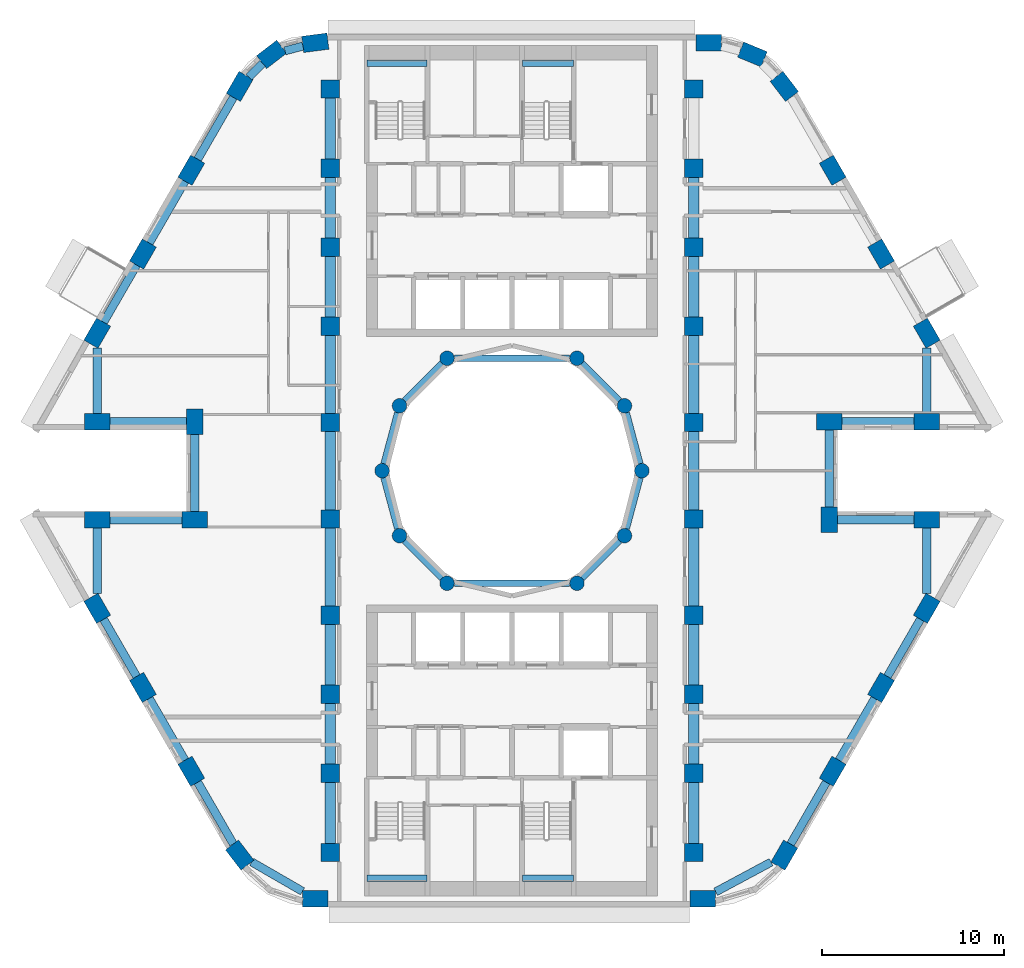
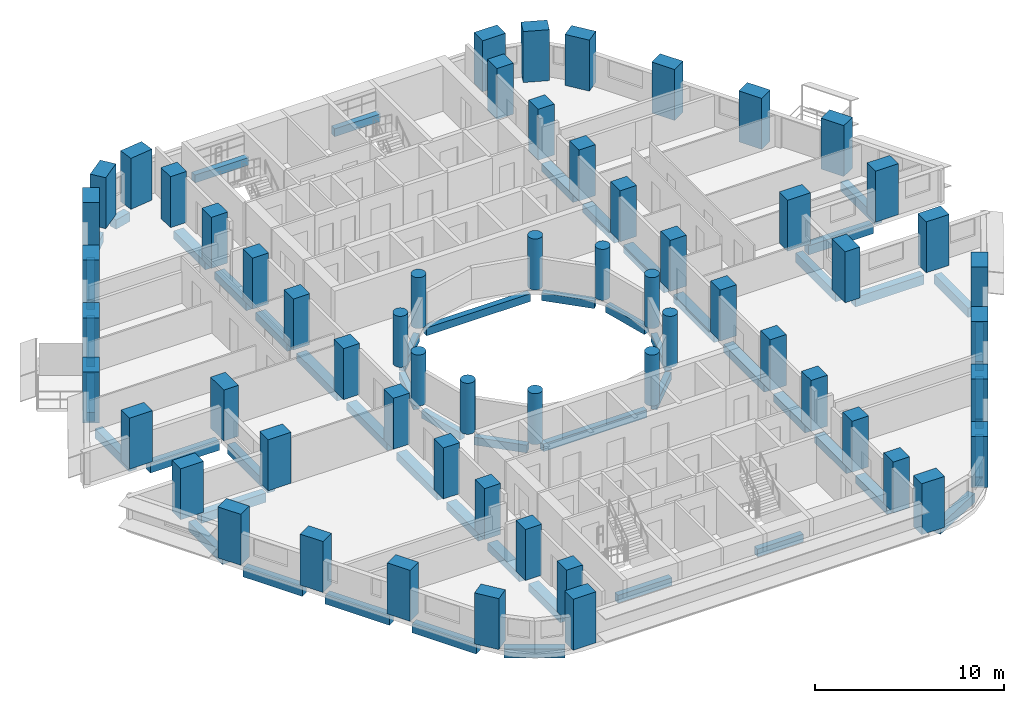
# One storey, part 1 of 14: 60 columns, 54 beams.
"""IFC4 building model written with IfcOpenShell, lengths in metres."""

from ifc_helpers import new_model, si_unit, direction, frame, origin, origin_2d, place, context, subcontext, project, spatial, rectangle, circle, extrude, material, material_profile, profile_set, type_object, element, save


model = new_model("IFC4")

# Units and contexts
model_context = context("Model", 3, precision=1e-05, world=origin(), true_north=direction((0.0, 1.0)))
body_context = subcontext(model_context, "Body", "Model", "MODEL_VIEW")
ifc_project = project(units=[si_unit("LENGTHUNIT", "METRE"), si_unit("AREAUNIT", "SQUARE_METRE"), si_unit("VOLUMEUNIT", "CUBIC_METRE"), si_unit("PLANEANGLEUNIT", "RADIAN"), si_unit("MASSUNIT", "GRAM", prefix="KILO")], contexts=[model_context])

# Site, building, storey
site_placement = place(None, origin())
site = spatial("IfcSite", under=ifc_project, at=site_placement, CompositionType="ELEMENT")
building_placement = place(site_placement, origin())
building = spatial("IfcBuilding", under=site, at=building_placement, Name="Nakaniwa Court", CompositionType="ELEMENT")
storey_placement = place(building_placement, frame((0.0, 0.0, 117.300048828125)))
storey = spatial("IfcBuildingStorey", under=building, at=storey_placement, Name="L31", CompositionType="ELEMENT", Elevation=117.300048828125)

# Columns
ifc_material = material(Name="Concrete C80/100", Category="concrete")
ifc_material_profile_1 = material_profile(ifc_material, rectangle(XDim=1.0, YDim=1.0, at=origin_2d()), Name="Concrete C80/100 RC 1000x1000 spine column")
ifc_profile_set_1 = profile_set([ifc_material_profile_1], Name="Concrete C80/100")
column_type_1 = type_object("IfcColumnType", Name="Concrete C80/100 RC 1000x1000 spine column", PredefinedType="COLUMN", material=ifc_profile_set_1)
for number, where, z_axis, x_axis, name in (
    (1, (90.0, 59.0, 0.0), (0.0, 0.0, 1.0), (0.0, 1.0, 0.0), "COLUMN CS-01"),
    (2, (90.0, 63.35009765625, 0.0), (0.0, 0.0, 1.0), (0.0, 1.0, 0.0), "COLUMN CS-02"),
    (3, (90.0, 67.699951171875, 0.0), (0.0, 0.0, 1.0), (0.0, 1.0, 0.0), "COLUMN CS-03"),
    (4, (90.0, 72.050048828125, 0.0), (0.0, 0.0, 1.0), (0.0, 1.0, 0.0), "COLUMN CS-04"),
    (5, (90.0, 77.35009765625, 0.0), (0.0, 0.0, 1.0), (0.0, 1.0, 0.0), "COLUMN CS-05"),
    (6, (90.0, 82.64990234375, 0.0), (0.0, 0.0, 1.0), (0.0, 1.0, 0.0), "COLUMN CS-06"),
    (7, (90.0, 87.949951171875, 0.0), (0.0, 0.0, 1.0), (0.0, 1.0, 0.0), "COLUMN CS-07"),
    (8, (90.0, 92.300048828125, 0.0), (0.0, 0.0, 1.0), (0.0, 1.0, 0.0), "COLUMN CS-08"),
    (9, (90.0, 96.64990234375, 0.0), (0.0, 0.0, 1.0), (0.0, 1.0, 0.0), "COLUMN CS-09"),
    (10, (90.0, 101.0, 0.0), (0.0, 0.0, 1.0), (0.0, 1.0, 0.0), "COLUMN CS-10"),
    (11, (70.0, 101.0, 0.0), (0.0, 0.0, 1.0), (0.0, -1.0, 0.0), "COLUMN CS-11"),
    (12, (70.0, 96.64990234375, 0.0), (0.0, 0.0, 1.0), (0.0, -1.0, 0.0), "COLUMN CS-12"),
    (13, (70.0, 92.300048828125, 0.0), (0.0, 0.0, 1.0), (0.0, -1.0, 0.0), "COLUMN CS-13"),
    (14, (70.0, 87.949951171875, 0.0), (0.0, 0.0, 1.0), (0.0, -1.0, 0.0), "COLUMN CS-14"),
    (15, (70.0, 82.64990234375, 0.0), (0.0, 0.0, 1.0), (0.0, -1.0, 0.0), "COLUMN CS-15"),
    (16, (70.0, 77.35009765625, 0.0), (0.0, 0.0, 1.0), (0.0, -1.0, 0.0), "COLUMN CS-16"),
    (17, (70.0, 72.050048828125, 0.0), (0.0, 0.0, 1.0), (0.0, -1.0, 0.0), "COLUMN CS-17"),
    (18, (70.0, 67.699951171875, 0.0), (0.0, 0.0, 1.0), (0.0, -1.0, 0.0), "COLUMN CS-18"),
    (19, (70.0, 63.35009765625, 0.0), (0.0, 0.0, 1.0), (0.0, -1.0, 0.0), "COLUMN CS-19"),
    (20, (70.0, 59.0, 0.0), (0.0, 0.0, 1.0), (0.0, -1.0, 0.0), "COLUMN CS-20"),
):
    element("IfcColumn", number, at=place(storey_placement, frame(where, z_axis=z_axis, x_axis=x_axis)), inside=storey, type_object=column_type_1, Name=name, PredefinedType="COLUMN", context=body_context, shape_type="SweptSolid", body=[
        extrude(rectangle(XDim=1.0, YDim=1.0, at=origin_2d()), origin(), (0.0, 0.0, 1.0), 3.300048828125),
    ])
ifc_material_profile_2 = material_profile(ifc_material, rectangle(XDim=1.39990234375, YDim=0.89990234375, at=origin_2d()), Name="Concrete C80/100 RC 1400x900 perimeter column")
ifc_profile_set_2 = profile_set([ifc_material_profile_2], Name="Concrete C80/100")
column_type_2 = type_object("IfcColumnType", Name="Concrete C80/100 RC 1400x900 perimeter column", PredefinedType="COLUMN", material=ifc_profile_set_2)
for number, where, z_axis, x_axis, name in (
    (21, (69.17529296875, 103.550048828125, 0.0), (0.0, 0.0, 1.0), (-0.991442583111, -0.130543496177, 0.0), "COLUMN CO-01"),
    (22, (66.772705078125, 102.91015625, 0.0), (0.0, 0.0, 1.0), (-0.793363965062, -0.608747582288, 0.0), "COLUMN CO-02"),
    (23, (65.017578125, 101.1494140625, 0.0), (0.0, 0.0, 1.0), (-0.5, -0.866025403784, 0.0), "COLUMN CO-03"),
    (24, (62.3544921875, 96.537109375, 0.0), (0.0, 0.0, 1.0), (-0.5, -0.866025403784, 0.0), "COLUMN CO-04"),
    (25, (59.691650390625, 91.9248046875, 0.0), (0.0, 0.0, 1.0), (-0.5, -0.866025403784, 0.0), "COLUMN CO-05"),
    (26, (57.177001953125, 87.569580078125, 0.0), (0.0, 0.0, 1.0), (-0.5, -0.866025403784, 0.0), "COLUMN CO-06"),
    (27, (57.177001953125, 82.699951171875, 0.0), (0.0, 0.0, 1.0), (1.0, 0.0, 0.0), "COLUMN CO-08"),
    (28, (62.54150390625, 82.699951171875, 0.0), (0.0, 0.0, 1.0), (0.0, -1.0, 0.0), "COLUMN CO-09"),
    (29, (62.54150390625, 77.300048828125, 0.0), (0.0, 0.0, 1.0), (-1.0, 0.0, 0.0), "COLUMN CO-10"),
    (30, (57.177001953125, 77.300048828125, 0.0), (0.0, 0.0, 1.0), (-1.0, 0.0, 0.0), "COLUMN CO-11"),
    (31, (57.177001953125, 72.430419921875, 0.0), (0.0, 0.0, 1.0), (0.5, -0.866025403784, 0.0), "COLUMN CO-13"),
    (32, (59.691650390625, 68.0751953125, 0.0), (0.0, 0.0, 1.0), (0.5, -0.866025403784, 0.0), "COLUMN CO-14"),
    (33, (62.3544921875, 63.462890625, 0.0), (0.0, 0.0, 1.0), (0.5, -0.866025403784, 0.0), "COLUMN CO-15"),
    (34, (65.017578125, 58.8505859375, 0.0), (0.0, 0.0, 1.0), (0.608761429009, -0.793353340291, 0.0), "COLUMN CO-16"),
    (35, (69.17529296875, 56.449951171875, 0.0), (0.0, 0.0, 1.0), (1.0, 0.0, 0.0), "COLUMN CO-17"),
    (36, (90.507080078125, 56.449951171875, 0.0), (0.0, 0.0, 1.0), (1.0, 0.0, 0.0), "COLUMN CO-21"),
    (37, (94.982421875, 58.8505859375, 0.0), (0.0, 0.0, 1.0), (0.5, 0.866025403784, 0.0), "COLUMN CO-22"),
    (38, (97.6455078125, 63.462890625, 0.0), (0.0, 0.0, 1.0), (0.5, 0.866025403784, 0.0), "COLUMN CO-23"),
    (39, (100.308349609375, 68.0751953125, 0.0), (0.0, 0.0, 1.0), (0.5, 0.866025403784, 0.0), "COLUMN CO-24"),
    (40, (102.822998046875, 72.430419921875, 0.0), (0.0, 0.0, 1.0), (0.5, 0.866025403784, 0.0), "COLUMN CO-25"),
    (41, (102.822998046875, 77.300048828125, 0.0), (0.0, 0.0, 1.0), (-1.0, 0.0, 0.0), "COLUMN CO-27"),
    (42, (97.45849609375, 77.300048828125, 0.0), (0.0, 0.0, 1.0), (0.0, 1.0, 0.0), "COLUMN CO-28"),
    (43, (97.45849609375, 82.699951171875, 0.0), (0.0, 0.0, 1.0), (1.0, 0.0, 0.0), "COLUMN CO-29"),
    (44, (102.822998046875, 82.699951171875, 0.0), (0.0, 0.0, 1.0), (1.0, 0.0, 0.0), "COLUMN CO-30"),
    (45, (102.822998046875, 87.569580078125, 0.0), (0.0, 0.0, 1.0), (-0.5, 0.866025403784, 0.0), "COLUMN CO-32"),
    (46, (100.308349609375, 91.9248046875, 0.0), (0.0, 0.0, 1.0), (-0.5, 0.866025403784, 0.0), "COLUMN CO-33"),
    (47, (97.6455078125, 96.537109375, 0.0), (0.0, 0.0, 1.0), (-0.5, 0.866025403784, 0.0), "COLUMN CO-34"),
    (48, (94.982421875, 101.1494140625, 0.0), (0.0, 0.0, 1.0), (-0.608761429009, 0.793353340291, 0.0), "COLUMN CO-35"),
    (49, (93.227294921875, 102.91015625, 0.0), (0.0, 0.0, 1.0), (-0.923879532511, 0.382683432365, 0.0), "COLUMN CO-36"),
    (50, (90.82470703125, 103.550048828125, 0.0), (0.0, 0.0, 1.0), (-1.0, 0.0, 0.0), "COLUMN CO-37"),
):
    element("IfcColumn", number, at=place(storey_placement, frame(where, z_axis=z_axis, x_axis=x_axis)), inside=storey, type_object=column_type_2, Name=name, PredefinedType="COLUMN", context=body_context, shape_type="SweptSolid", body=[
        extrude(rectangle(XDim=1.39990234375, YDim=0.89990234375, at=origin_2d()), origin(), (0.0, 0.0, 1.0), 3.300048828125),
    ])
ifc_material_profile_3 = material_profile(ifc_material, circle(Radius=0.39990234375, at=origin_2d()), Name="Concrete C80/100 RC D800 inner ring column")
ifc_profile_set_3 = profile_set([ifc_material_profile_3], Name="Concrete C80/100")
column_type_3 = type_object("IfcColumnType", Name="Concrete C80/100 RC D800 inner ring column", PredefinedType="COLUMN", material=ifc_profile_set_3)
for number, where, z_axis, x_axis, name in (
    (51, (87.14990234375, 80.0, 0.0), (0.0, 0.0, 1.0), (0.0, 1.0, 0.0), "COLUMN CI-01"),
    (52, (86.192138671875, 83.574951171875, 0.0), (0.0, 0.0, 1.0), (-0.5, 0.866025403784, 0.0), "COLUMN CI-02"),
    (53, (83.574951171875, 86.192138671875, 0.0), (0.0, 0.0, 1.0), (-0.866025403784, 0.5, 0.0), "COLUMN CI-03"),
    (54, (76.425048828125, 86.192138671875, 0.0), (0.0, 0.0, 1.0), (-0.866025403784, -0.5, 0.0), "COLUMN CI-05"),
    (55, (73.807861328125, 83.574951171875, 0.0), (0.0, 0.0, 1.0), (-0.5, -0.866025403784, 0.0), "COLUMN CI-06"),
    (56, (72.85009765625, 80.0, 0.0), (0.0, 0.0, 1.0), (0.0, -1.0, 0.0), "COLUMN CI-07"),
    (57, (73.807861328125, 76.425048828125, 0.0), (0.0, 0.0, 1.0), (0.5, -0.866025403784, 0.0), "COLUMN CI-08"),
    (58, (76.425048828125, 73.807861328125, 0.0), (0.0, 0.0, 1.0), (0.866025403784, -0.5, 0.0), "COLUMN CI-09"),
    (59, (83.574951171875, 73.807861328125, 0.0), (0.0, 0.0, 1.0), (0.866025403784, 0.5, 0.0), "COLUMN CI-11"),
    (60, (86.192138671875, 76.425048828125, 0.0), (0.0, 0.0, 1.0), (0.5, 0.866025403784, 0.0), "COLUMN CI-12"),
):
    element("IfcColumn", number, at=place(storey_placement, frame(where, z_axis=z_axis, x_axis=x_axis)), inside=storey, type_object=column_type_3, Name=name, PredefinedType="COLUMN", context=body_context, shape_type="SweptSolid", body=[
        extrude(circle(Radius=0.39990234375, at=origin_2d()), origin(), (0.0, 0.0, 1.0), 3.300048828125),
    ])

# Beams
ifc_material_profile_4 = material_profile(ifc_material, rectangle(XDim=0.35009765625, YDim=0.5, at=origin_2d()), Name="Concrete C80/100 RC 350x500 landing ledge beam")
ifc_profile_set_4 = profile_set([ifc_material_profile_4], Name="Concrete C80/100")
beam_type_1 = type_object("IfcBeamType", Name="Concrete C80/100 RC 350x500 landing ledge beam", PredefinedType="BEAM", material=ifc_profile_set_4)
beam_1_placement = place(storey_placement, frame((72.02490234375, 102.425048828125, 1.199951171875), z_axis=(1.0, 0.0, 0.0), x_axis=(0.0, 1.0, 0.0)))
element("IfcBeam", 61, at=beam_1_placement, inside=storey, type_object=beam_type_1, Name="LANDING LEDGE BEAM", PredefinedType="BEAM", context=body_context, shape_type="SweptSolid", body=[
    extrude(rectangle(XDim=0.35009765625, YDim=0.5, at=origin_2d()), origin(), (0.0, 0.0, 1.0), 3.300048828125),
])
beam_2_placement = place(storey_placement, frame((80.574951171875, 102.425048828125, 1.199951171875), z_axis=(1.0, 0.0, 0.0), x_axis=(0.0, 1.0, 0.0)))
element("IfcBeam", 62, at=beam_2_placement, inside=storey, type_object=beam_type_1, Name="LANDING LEDGE BEAM", PredefinedType="BEAM", context=body_context, shape_type="SweptSolid", body=[
    extrude(rectangle(XDim=0.35009765625, YDim=0.5, at=origin_2d()), origin(), (0.0, 0.0, 1.0), 2.800048828125),
])
beam_3_placement = place(storey_placement, frame((72.02490234375, 57.574951171875, 1.199951171875), z_axis=(1.0, 0.0, 0.0), x_axis=(0.0, 1.0, 0.0)))
element("IfcBeam", 63, at=beam_3_placement, inside=storey, type_object=beam_type_1, Name="LANDING LEDGE BEAM", PredefinedType="BEAM", context=body_context, shape_type="SweptSolid", body=[
    extrude(rectangle(XDim=0.35009765625, YDim=0.5, at=origin_2d()), origin(), (0.0, 0.0, 1.0), 3.300048828125),
])
beam_4_placement = place(storey_placement, frame((80.574951171875, 57.574951171875, 1.199951171875), z_axis=(1.0, 0.0, 0.0), x_axis=(0.0, 1.0, 0.0)))
element("IfcBeam", 64, at=beam_4_placement, inside=storey, type_object=beam_type_1, Name="LANDING LEDGE BEAM", PredefinedType="BEAM", context=body_context, shape_type="SweptSolid", body=[
    extrude(rectangle(XDim=0.35009765625, YDim=0.5, at=origin_2d()), origin(), (0.0, 0.0, 1.0), 2.800048828125),
])
ifc_material_profile_5 = material_profile(ifc_material, rectangle(XDim=0.35009765625, YDim=0.5, at=origin_2d()), Name="Concrete C80/100 RC 350x500 ring beam")
ifc_profile_set_5 = profile_set([ifc_material_profile_5], Name="Concrete C80/100")
beam_type_2 = type_object("IfcBeamType", Name="Concrete C80/100 RC 350x500 ring beam", PredefinedType="BEAM", material=ifc_profile_set_5)
beam_5_placement = place(storey_placement, frame((87.04638671875, 80.386474609375, -0.525146484375), z_axis=(-0.258778150207, 0.965936783115, 0.0), x_axis=(-0.965936783115, -0.258778150207, 0.0)))
element("IfcBeam", 65, at=beam_5_placement, inside=storey, type_object=beam_type_2, Name="RING BEAM", PredefinedType="BEAM", context=body_context, shape_type="SweptSolid", body=[
    extrude(rectangle(XDim=0.35009765625, YDim=0.5, at=origin_2d()), origin(), (0.0, 0.0, 1.0), 2.901123046875),
])
beam_6_placement = place(storey_placement, frame((85.9091796875, 83.85791015625, -0.525146484375), z_axis=(-0.707106781187, 0.707106781187, 0.0), x_axis=(-0.707106781187, -0.707106781187, 0.0)))
element("IfcBeam", 66, at=beam_6_placement, inside=storey, type_object=beam_type_2, Name="RING BEAM", PredefinedType="BEAM", context=body_context, shape_type="SweptSolid", body=[
    extrude(rectangle(XDim=0.35009765625, YDim=0.5, at=origin_2d()), origin(), (0.0, 0.0, 1.0), 2.90087890625),
])
beam_7_placement = place(storey_placement, frame((83.175048828125, 86.192138671875, -0.525146484375), z_axis=(-1.0, 0.0, 0.0), x_axis=(0.0, -1.0, 0.0)))
element("IfcBeam", 67, at=beam_7_placement, inside=storey, type_object=beam_type_2, Name="RING BEAM", PredefinedType="BEAM", context=body_context, shape_type="SweptSolid", body=[
    extrude(rectangle(XDim=0.35009765625, YDim=0.5, at=origin_2d()), origin(), (0.0, 0.0, 1.0), 6.35009765625),
])
beam_8_placement = place(storey_placement, frame((76.14208984375, 85.9091796875, -0.525146484375), z_axis=(-0.707106781187, -0.707106781187, 0.0), x_axis=(0.707106781187, -0.707106781187, 0.0)))
element("IfcBeam", 68, at=beam_8_placement, inside=storey, type_object=beam_type_2, Name="RING BEAM", PredefinedType="BEAM", context=body_context, shape_type="SweptSolid", body=[
    extrude(rectangle(XDim=0.35009765625, YDim=0.5, at=origin_2d()), origin(), (0.0, 0.0, 1.0), 2.90087890625),
])
for number, where, z_axis, x_axis, name in (
    (69, (73.704345703125, 83.188720703125, -0.525146484375), (-0.258778150207, -0.965936783115, 0.0), (0.965936783115, -0.258778150207, 0.0), "RING BEAM"),
    (70, (72.95361328125, 79.613525390625, -0.525146484375), (0.258778150207, -0.965936783115, 0.0), (0.965936783115, 0.258778150207, 0.0), "RING BEAM"),
):
    element("IfcBeam", number, at=place(storey_placement, frame(where, z_axis=z_axis, x_axis=x_axis)), inside=storey, type_object=beam_type_2, Name=name, PredefinedType="BEAM", context=body_context, shape_type="SweptSolid", body=[
        extrude(rectangle(XDim=0.35009765625, YDim=0.5, at=origin_2d()), origin(), (0.0, 0.0, 1.0), 2.901123046875),
    ])
beam_9_placement = place(storey_placement, frame((74.0908203125, 76.14208984375, -0.525146484375), z_axis=(0.707106781187, -0.707106781187, 0.0), x_axis=(0.707106781187, 0.707106781187, 0.0)))
element("IfcBeam", 71, at=beam_9_placement, inside=storey, type_object=beam_type_2, Name="RING BEAM", PredefinedType="BEAM", context=body_context, shape_type="SweptSolid", body=[
    extrude(rectangle(XDim=0.35009765625, YDim=0.5, at=origin_2d()), origin(), (0.0, 0.0, 1.0), 2.90087890625),
])
beam_10_placement = place(storey_placement, frame((76.824951171875, 73.807861328125, -0.525146484375), z_axis=(1.0, 0.0, 0.0), x_axis=(0.0, 1.0, 0.0)))
element("IfcBeam", 72, at=beam_10_placement, inside=storey, type_object=beam_type_2, Name="RING BEAM", PredefinedType="BEAM", context=body_context, shape_type="SweptSolid", body=[
    extrude(rectangle(XDim=0.35009765625, YDim=0.5, at=origin_2d()), origin(), (0.0, 0.0, 1.0), 6.35009765625),
])
beam_11_placement = place(storey_placement, frame((83.85791015625, 74.0908203125, -0.525146484375), z_axis=(0.707106781187, 0.707106781187, 0.0), x_axis=(-0.707106781187, 0.707106781187, 0.0)))
element("IfcBeam", 73, at=beam_11_placement, inside=storey, type_object=beam_type_2, Name="RING BEAM", PredefinedType="BEAM", context=body_context, shape_type="SweptSolid", body=[
    extrude(rectangle(XDim=0.35009765625, YDim=0.5, at=origin_2d()), origin(), (0.0, 0.0, 1.0), 2.90087890625),
])
beam_12_placement = place(storey_placement, frame((86.295654296875, 76.811279296875, -0.525146484375), z_axis=(0.258778150207, 0.965936783115, 0.0), x_axis=(-0.965936783115, 0.258778150207, 0.0)))
element("IfcBeam", 74, at=beam_12_placement, inside=storey, type_object=beam_type_2, Name="RING BEAM", PredefinedType="BEAM", context=body_context, shape_type="SweptSolid", body=[
    extrude(rectangle(XDim=0.35009765625, YDim=0.5, at=origin_2d()), origin(), (0.0, 0.0, 1.0), 2.901123046875),
])
ifc_material_profile_6 = material_profile(ifc_material, rectangle(XDim=0.449951171875, YDim=0.60009765625, at=origin_2d()), Name="Concrete C80/100 RC 450x600 spandrel beam")
ifc_profile_set_6 = profile_set([ifc_material_profile_6], Name="Concrete C80/100")
beam_type_3 = type_object("IfcBeamType", Name="Concrete C80/100 RC 450x600 spandrel beam", PredefinedType="BEAM", material=ifc_profile_set_6)
beam_13_placement = place(storey_placement, frame((68.4931640625, 103.368408203125, -0.574951171875), z_axis=(-0.966290412053, -0.257454538851, 0.0), x_axis=(0.257454538851, -0.966290412053, 0.0)))
element("IfcBeam", 75, at=beam_13_placement, inside=storey, type_object=beam_type_3, Name="SPANDREL BEAM", PredefinedType="BEAM", context=body_context, shape_type="SweptSolid", body=[
    extrude(rectangle(XDim=0.449951171875, YDim=0.60009765625, at=origin_2d()), origin(), (0.0, 0.0, 1.0), 1.022216796875),
])
beam_14_placement = place(storey_placement, frame((66.274169921875, 102.41015625, -0.574951171875), z_axis=(-0.70606530329, -0.708146727374, 0.0), x_axis=(0.708146727374, -0.70606530329, 0.0)))
element("IfcBeam", 76, at=beam_14_placement, inside=storey, type_object=beam_type_3, Name="SPANDREL BEAM", PredefinedType="BEAM", context=body_context, shape_type="SweptSolid", body=[
    extrude(rectangle(XDim=0.449951171875, YDim=0.60009765625, at=origin_2d()), origin(), (0.0, 0.0, 1.0), 1.0556640625),
])
for number, where, z_axis, x_axis, name in (
    (77, (64.66748046875, 100.543212890625, -0.574951171875), (-0.49999161165, -0.866030246746, 0.0), (0.866030246746, -0.49999161165, 0.0), "SPANDREL BEAM"),
    (78, (62.00439453125, 95.930908203125, -0.574951171875), (-0.49999161165, -0.866030246746, 0.0), (0.866030246746, -0.49999161165, 0.0), "SPANDREL BEAM"),
):
    element("IfcBeam", number, at=place(storey_placement, frame(where, z_axis=z_axis, x_axis=x_axis)), inside=storey, type_object=beam_type_3, Name=name, PredefinedType="BEAM", context=body_context, shape_type="SweptSolid", body=[
        extrude(rectangle(XDim=0.449951171875, YDim=0.60009765625, at=origin_2d()), origin(), (0.0, 0.0, 1.0), 3.92578125),
    ])
beam_15_placement = place(storey_placement, frame((59.341552734375, 91.318603515625, -0.574951171875), z_axis=(-0.499988394233, -0.866032104273, 0.0), x_axis=(0.866032104273, -0.499988394233, 0.0)))
element("IfcBeam", 79, at=beam_15_placement, inside=storey, type_object=beam_type_3, Name="SPANDREL BEAM", PredefinedType="BEAM", context=body_context, shape_type="SweptSolid", body=[
    extrude(rectangle(XDim=0.449951171875, YDim=0.60009765625, at=origin_2d()), origin(), (0.0, 0.0, 1.0), 3.62890625),
])
beam_16_placement = place(storey_placement, frame((57.177001953125, 86.761474609375, -0.574951171875), z_axis=(0.0, -1.0, 0.0), x_axis=(1.0, 0.0, 0.0)))
element("IfcBeam", 80, at=beam_16_placement, inside=storey, type_object=beam_type_3, Name="SPANDREL BEAM", PredefinedType="BEAM", context=body_context, shape_type="SweptSolid", body=[
    extrude(rectangle(XDim=0.449951171875, YDim=0.60009765625, at=origin_2d()), origin(), (0.0, 0.0, 1.0), 3.611572265625),
])
beam_17_placement = place(storey_placement, frame((57.877197265625, 82.699951171875, -0.574951171875), z_axis=(1.0, 0.0, 0.0), x_axis=(0.0, 1.0, 0.0)))
element("IfcBeam", 81, at=beam_17_placement, inside=storey, type_object=beam_type_3, Name="SPANDREL BEAM", PredefinedType="BEAM", context=body_context, shape_type="SweptSolid", body=[
    extrude(rectangle(XDim=0.449951171875, YDim=0.60009765625, at=origin_2d()), origin(), (0.0, 0.0, 1.0), 4.21435546875),
])
beam_18_placement = place(storey_placement, frame((62.54150390625, 82.0, -0.574951171875), z_axis=(0.0, -1.0, 0.0), x_axis=(1.0, 0.0, 0.0)))
element("IfcBeam", 82, at=beam_18_placement, inside=storey, type_object=beam_type_3, Name="SPANDREL BEAM", PredefinedType="BEAM", context=body_context, shape_type="SweptSolid", body=[
    extrude(rectangle(XDim=0.449951171875, YDim=0.60009765625, at=origin_2d()), origin(), (0.0, 0.0, 1.0), 4.25),
])
beam_19_placement = place(storey_placement, frame((61.841552734375, 77.300048828125, -0.574951171875), z_axis=(-1.0, 0.0, 0.0), x_axis=(0.0, -1.0, 0.0)))
element("IfcBeam", 83, at=beam_19_placement, inside=storey, type_object=beam_type_3, Name="SPANDREL BEAM", PredefinedType="BEAM", context=body_context, shape_type="SweptSolid", body=[
    extrude(rectangle(XDim=0.449951171875, YDim=0.60009765625, at=origin_2d()), origin(), (0.0, 0.0, 1.0), 3.96435546875),
])
beam_20_placement = place(storey_placement, frame((57.177001953125, 76.85009765625, -0.574951171875), z_axis=(0.0, -1.0, 0.0), x_axis=(1.0, 0.0, 0.0)))
element("IfcBeam", 84, at=beam_20_placement, inside=storey, type_object=beam_type_3, Name="SPANDREL BEAM", PredefinedType="BEAM", context=body_context, shape_type="SweptSolid", body=[
    extrude(rectangle(XDim=0.449951171875, YDim=0.60009765625, at=origin_2d()), origin(), (0.0, 0.0, 1.0), 3.611572265625),
])
beam_21_placement = place(storey_placement, frame((57.527099609375, 71.82421875, -0.574951171875), z_axis=(0.499988394233, -0.866032104273, 0.0), x_axis=(0.866032104273, 0.499988394233, 0.0)))
element("IfcBeam", 85, at=beam_21_placement, inside=storey, type_object=beam_type_3, Name="SPANDREL BEAM", PredefinedType="BEAM", context=body_context, shape_type="SweptSolid", body=[
    extrude(rectangle(XDim=0.449951171875, YDim=0.60009765625, at=origin_2d()), origin(), (0.0, 0.0, 1.0), 3.62890625),
])
beam_22_placement = place(storey_placement, frame((60.04150390625, 67.468994140625, -0.574951171875), z_axis=(0.49999161165, -0.866030246746, 0.0), x_axis=(0.866030246746, 0.49999161165, 0.0)))
element("IfcBeam", 86, at=beam_22_placement, inside=storey, type_object=beam_type_3, Name="SPANDREL BEAM", PredefinedType="BEAM", context=body_context, shape_type="SweptSolid", body=[
    extrude(rectangle(XDim=0.449951171875, YDim=0.60009765625, at=origin_2d()), origin(), (0.0, 0.0, 1.0), 3.92578125),
])
beam_23_placement = place(storey_placement, frame((62.70458984375, 62.856689453125, -0.574951171875), z_axis=(0.499997407846, -0.86602690036, 0.0), x_axis=(0.86602690036, 0.499997407846, 0.0)))
element("IfcBeam", 87, at=beam_23_placement, inside=storey, type_object=beam_type_3, Name="SPANDREL BEAM", PredefinedType="BEAM", context=body_context, shape_type="SweptSolid", body=[
    extrude(rectangle(XDim=0.449951171875, YDim=0.60009765625, at=origin_2d()), origin(), (0.0, 0.0, 1.0), 3.919921875),
])
beam_24_placement = place(storey_placement, frame((65.673583984375, 58.4716796875, -0.574951171875), z_axis=(0.866014675542, -0.5000185814, 0.0), x_axis=(0.5000185814, 0.866014675542, 0.0)))
element("IfcBeam", 88, at=beam_24_placement, inside=storey, type_object=beam_type_3, Name="SPANDREL BEAM", PredefinedType="BEAM", context=body_context, shape_type="SweptSolid", body=[
    extrude(rectangle(XDim=0.449951171875, YDim=0.60009765625, at=origin_2d()), origin(), (0.0, 0.0, 1.0), 3.2353515625),
])
beam_25_placement = place(storey_placement, frame((91.20703125, 56.825439453125, -0.574951171875), z_axis=(0.881233381314, 0.472681423009, 0.0), x_axis=(-0.472681423009, 0.881233381314, 0.0)))
element("IfcBeam", 89, at=beam_25_placement, inside=storey, type_object=beam_type_3, Name="SPANDREL BEAM", PredefinedType="BEAM", context=body_context, shape_type="SweptSolid", body=[
    extrude(rectangle(XDim=0.449951171875, YDim=0.60009765625, at=origin_2d()), origin(), (0.0, 0.0, 1.0), 3.46044921875),
])
for number, where, z_axis, x_axis, name in (
    (90, (95.33251953125, 59.456787109375, -0.574951171875), (0.49999161165, 0.866030246746, 0.0), (-0.866030246746, 0.49999161165, 0.0), "SPANDREL BEAM"),
    (91, (97.99560546875, 64.069091796875, -0.574951171875), (0.49999161165, 0.866030246746, 0.0), (-0.866030246746, 0.49999161165, 0.0), "SPANDREL BEAM"),
):
    element("IfcBeam", number, at=place(storey_placement, frame(where, z_axis=z_axis, x_axis=x_axis)), inside=storey, type_object=beam_type_3, Name=name, PredefinedType="BEAM", context=body_context, shape_type="SweptSolid", body=[
        extrude(rectangle(XDim=0.449951171875, YDim=0.60009765625, at=origin_2d()), origin(), (0.0, 0.0, 1.0), 3.92578125),
    ])
beam_26_placement = place(storey_placement, frame((100.658447265625, 68.681396484375, -0.574951171875), z_axis=(0.499988394233, 0.866032104273, 0.0), x_axis=(-0.866032104273, 0.499988394233, 0.0)))
element("IfcBeam", 92, at=beam_26_placement, inside=storey, type_object=beam_type_3, Name="SPANDREL BEAM", PredefinedType="BEAM", context=body_context, shape_type="SweptSolid", body=[
    extrude(rectangle(XDim=0.449951171875, YDim=0.60009765625, at=origin_2d()), origin(), (0.0, 0.0, 1.0), 3.62890625),
])
beam_27_placement = place(storey_placement, frame((102.822998046875, 73.238525390625, -0.574951171875), z_axis=(0.0, 1.0, 0.0), x_axis=(-1.0, 0.0, 0.0)))
element("IfcBeam", 93, at=beam_27_placement, inside=storey, type_object=beam_type_3, Name="SPANDREL BEAM", PredefinedType="BEAM", context=body_context, shape_type="SweptSolid", body=[
    extrude(rectangle(XDim=0.449951171875, YDim=0.60009765625, at=origin_2d()), origin(), (0.0, 0.0, 1.0), 3.611572265625),
])
beam_28_placement = place(storey_placement, frame((102.122802734375, 77.300048828125, -0.574951171875), z_axis=(-1.0, 0.0, 0.0), x_axis=(0.0, -1.0, 0.0)))
element("IfcBeam", 94, at=beam_28_placement, inside=storey, type_object=beam_type_3, Name="SPANDREL BEAM", PredefinedType="BEAM", context=body_context, shape_type="SweptSolid", body=[
    extrude(rectangle(XDim=0.449951171875, YDim=0.60009765625, at=origin_2d()), origin(), (0.0, 0.0, 1.0), 4.21435546875),
])
beam_29_placement = place(storey_placement, frame((97.45849609375, 78.0, -0.574951171875), z_axis=(0.0, 1.0, 0.0), x_axis=(-1.0, 0.0, 0.0)))
element("IfcBeam", 95, at=beam_29_placement, inside=storey, type_object=beam_type_3, Name="SPANDREL BEAM", PredefinedType="BEAM", context=body_context, shape_type="SweptSolid", body=[
    extrude(rectangle(XDim=0.449951171875, YDim=0.60009765625, at=origin_2d()), origin(), (0.0, 0.0, 1.0), 4.25),
])
beam_30_placement = place(storey_placement, frame((98.158447265625, 82.699951171875, -0.574951171875), z_axis=(1.0, 0.0, 0.0), x_axis=(0.0, 1.0, 0.0)))
element("IfcBeam", 96, at=beam_30_placement, inside=storey, type_object=beam_type_3, Name="SPANDREL BEAM", PredefinedType="BEAM", context=body_context, shape_type="SweptSolid", body=[
    extrude(rectangle(XDim=0.449951171875, YDim=0.60009765625, at=origin_2d()), origin(), (0.0, 0.0, 1.0), 3.96435546875),
])
beam_31_placement = place(storey_placement, frame((102.822998046875, 83.14990234375, -0.574951171875), z_axis=(0.0, 1.0, 0.0), x_axis=(-1.0, 0.0, 0.0)))
element("IfcBeam", 97, at=beam_31_placement, inside=storey, type_object=beam_type_3, Name="SPANDREL BEAM", PredefinedType="BEAM", context=body_context, shape_type="SweptSolid", body=[
    extrude(rectangle(XDim=0.449951171875, YDim=0.60009765625, at=origin_2d()), origin(), (0.0, 0.0, 1.0), 3.611572265625),
])
ifc_material_profile_7 = material_profile(ifc_material, rectangle(XDim=0.60009765625, YDim=0.5, at=origin_2d()), Name="Concrete C80/100 RC 600x500 ring beam")
ifc_profile_set_7 = profile_set([ifc_material_profile_7], Name="Concrete C80/100")
beam_type_4 = type_object("IfcBeamType", Name="Concrete C80/100 RC 600x500 ring beam", PredefinedType="BEAM", material=ifc_profile_set_7)
beam_32_placement = place(storey_placement, frame((90.0, 59.5, -0.525146484375), z_axis=(0.0, 1.0, 0.0), x_axis=(-1.0, 0.0, 0.0)))
element("IfcBeam", 98, at=beam_32_placement, inside=storey, type_object=beam_type_4, Name="RING BEAM", PredefinedType="BEAM", context=body_context, shape_type="SweptSolid", body=[
    extrude(rectangle(XDim=0.60009765625, YDim=0.5, at=origin_2d()), origin(), (0.0, 0.0, 1.0), 3.35009765625),
])
beam_33_placement = place(storey_placement, frame((90.0, 63.85009765625, -0.525146484375), z_axis=(0.0, 1.0, 0.0), x_axis=(-1.0, 0.0, 0.0)))
element("IfcBeam", 99, at=beam_33_placement, inside=storey, type_object=beam_type_4, Name="RING BEAM", PredefinedType="BEAM", context=body_context, shape_type="SweptSolid", body=[
    extrude(rectangle(XDim=0.60009765625, YDim=0.5, at=origin_2d()), origin(), (0.0, 0.0, 1.0), 3.349853515625),
])
beam_34_placement = place(storey_placement, frame((90.0, 68.199951171875, -0.525146484375), z_axis=(0.0, 1.0, 0.0), x_axis=(-1.0, 0.0, 0.0)))
element("IfcBeam", 100, at=beam_34_placement, inside=storey, type_object=beam_type_4, Name="RING BEAM", PredefinedType="BEAM", context=body_context, shape_type="SweptSolid", body=[
    extrude(rectangle(XDim=0.60009765625, YDim=0.5, at=origin_2d()), origin(), (0.0, 0.0, 1.0), 3.35009765625),
])
beam_35_placement = place(storey_placement, frame((90.0, 72.550048828125, -0.525146484375), z_axis=(0.0, 1.0, 0.0), x_axis=(-1.0, 0.0, 0.0)))
element("IfcBeam", 101, at=beam_35_placement, inside=storey, type_object=beam_type_4, Name="RING BEAM", PredefinedType="BEAM", context=body_context, shape_type="SweptSolid", body=[
    extrude(rectangle(XDim=0.60009765625, YDim=0.5, at=origin_2d()), origin(), (0.0, 0.0, 1.0), 4.300048828125),
])
beam_36_placement = place(storey_placement, frame((90.0, 77.85009765625, -0.525146484375), z_axis=(0.0, 1.0, 0.0), x_axis=(-1.0, 0.0, 0.0)))
element("IfcBeam", 102, at=beam_36_placement, inside=storey, type_object=beam_type_4, Name="RING BEAM", PredefinedType="BEAM", context=body_context, shape_type="SweptSolid", body=[
    extrude(rectangle(XDim=0.60009765625, YDim=0.5, at=origin_2d()), origin(), (0.0, 0.0, 1.0), 4.2998046875),
])
beam_37_placement = place(storey_placement, frame((90.0, 83.14990234375, -0.525146484375), z_axis=(0.0, 1.0, 0.0), x_axis=(-1.0, 0.0, 0.0)))
element("IfcBeam", 103, at=beam_37_placement, inside=storey, type_object=beam_type_4, Name="RING BEAM", PredefinedType="BEAM", context=body_context, shape_type="SweptSolid", body=[
    extrude(rectangle(XDim=0.60009765625, YDim=0.5, at=origin_2d()), origin(), (0.0, 0.0, 1.0), 4.300048828125),
])
beam_38_placement = place(storey_placement, frame((90.0, 88.449951171875, -0.525146484375), z_axis=(0.0, 1.0, 0.0), x_axis=(-1.0, 0.0, 0.0)))
element("IfcBeam", 104, at=beam_38_placement, inside=storey, type_object=beam_type_4, Name="RING BEAM", PredefinedType="BEAM", context=body_context, shape_type="SweptSolid", body=[
    extrude(rectangle(XDim=0.60009765625, YDim=0.5, at=origin_2d()), origin(), (0.0, 0.0, 1.0), 3.35009765625),
])
beam_39_placement = place(storey_placement, frame((90.0, 92.800048828125, -0.525146484375), z_axis=(0.0, 1.0, 0.0), x_axis=(-1.0, 0.0, 0.0)))
element("IfcBeam", 105, at=beam_39_placement, inside=storey, type_object=beam_type_4, Name="RING BEAM", PredefinedType="BEAM", context=body_context, shape_type="SweptSolid", body=[
    extrude(rectangle(XDim=0.60009765625, YDim=0.5, at=origin_2d()), origin(), (0.0, 0.0, 1.0), 3.349853515625),
])
beam_40_placement = place(storey_placement, frame((70.0, 100.5, -0.525146484375), z_axis=(0.0, -1.0, 0.0), x_axis=(1.0, 0.0, 0.0)))
element("IfcBeam", 106, at=beam_40_placement, inside=storey, type_object=beam_type_4, Name="RING BEAM", PredefinedType="BEAM", context=body_context, shape_type="SweptSolid", body=[
    extrude(rectangle(XDim=0.60009765625, YDim=0.5, at=origin_2d()), origin(), (0.0, 0.0, 1.0), 3.35009765625),
])
beam_41_placement = place(storey_placement, frame((70.0, 96.14990234375, -0.525146484375), z_axis=(0.0, -1.0, 0.0), x_axis=(1.0, 0.0, 0.0)))
element("IfcBeam", 107, at=beam_41_placement, inside=storey, type_object=beam_type_4, Name="RING BEAM", PredefinedType="BEAM", context=body_context, shape_type="SweptSolid", body=[
    extrude(rectangle(XDim=0.60009765625, YDim=0.5, at=origin_2d()), origin(), (0.0, 0.0, 1.0), 3.349853515625),
])
beam_42_placement = place(storey_placement, frame((70.0, 91.800048828125, -0.525146484375), z_axis=(0.0, -1.0, 0.0), x_axis=(1.0, 0.0, 0.0)))
element("IfcBeam", 108, at=beam_42_placement, inside=storey, type_object=beam_type_4, Name="RING BEAM", PredefinedType="BEAM", context=body_context, shape_type="SweptSolid", body=[
    extrude(rectangle(XDim=0.60009765625, YDim=0.5, at=origin_2d()), origin(), (0.0, 0.0, 1.0), 3.35009765625),
])
beam_43_placement = place(storey_placement, frame((70.0, 87.449951171875, -0.525146484375), z_axis=(0.0, -1.0, 0.0), x_axis=(1.0, 0.0, 0.0)))
element("IfcBeam", 109, at=beam_43_placement, inside=storey, type_object=beam_type_4, Name="RING BEAM", PredefinedType="BEAM", context=body_context, shape_type="SweptSolid", body=[
    extrude(rectangle(XDim=0.60009765625, YDim=0.5, at=origin_2d()), origin(), (0.0, 0.0, 1.0), 4.300048828125),
])
beam_44_placement = place(storey_placement, frame((70.0, 82.14990234375, -0.525146484375), z_axis=(0.0, -1.0, 0.0), x_axis=(1.0, 0.0, 0.0)))
element("IfcBeam", 110, at=beam_44_placement, inside=storey, type_object=beam_type_4, Name="RING BEAM", PredefinedType="BEAM", context=body_context, shape_type="SweptSolid", body=[
    extrude(rectangle(XDim=0.60009765625, YDim=0.5, at=origin_2d()), origin(), (0.0, 0.0, 1.0), 4.2998046875),
])
beam_45_placement = place(storey_placement, frame((70.0, 76.85009765625, -0.525146484375), z_axis=(0.0, -1.0, 0.0), x_axis=(1.0, 0.0, 0.0)))
element("IfcBeam", 111, at=beam_45_placement, inside=storey, type_object=beam_type_4, Name="RING BEAM", PredefinedType="BEAM", context=body_context, shape_type="SweptSolid", body=[
    extrude(rectangle(XDim=0.60009765625, YDim=0.5, at=origin_2d()), origin(), (0.0, 0.0, 1.0), 4.300048828125),
])
beam_46_placement = place(storey_placement, frame((70.0, 71.550048828125, -0.525146484375), z_axis=(0.0, -1.0, 0.0), x_axis=(1.0, 0.0, 0.0)))
element("IfcBeam", 112, at=beam_46_placement, inside=storey, type_object=beam_type_4, Name="RING BEAM", PredefinedType="BEAM", context=body_context, shape_type="SweptSolid", body=[
    extrude(rectangle(XDim=0.60009765625, YDim=0.5, at=origin_2d()), origin(), (0.0, 0.0, 1.0), 3.35009765625),
])
beam_47_placement = place(storey_placement, frame((70.0, 67.199951171875, -0.525146484375), z_axis=(0.0, -1.0, 0.0), x_axis=(1.0, 0.0, 0.0)))
element("IfcBeam", 113, at=beam_47_placement, inside=storey, type_object=beam_type_4, Name="RING BEAM", PredefinedType="BEAM", context=body_context, shape_type="SweptSolid", body=[
    extrude(rectangle(XDim=0.60009765625, YDim=0.5, at=origin_2d()), origin(), (0.0, 0.0, 1.0), 3.349853515625),
])
beam_48_placement = place(storey_placement, frame((70.0, 62.85009765625, -0.525146484375), z_axis=(0.0, -1.0, 0.0), x_axis=(1.0, 0.0, 0.0)))
element("IfcBeam", 114, at=beam_48_placement, inside=storey, type_object=beam_type_4, Name="RING BEAM", PredefinedType="BEAM", context=body_context, shape_type="SweptSolid", body=[
    extrude(rectangle(XDim=0.60009765625, YDim=0.5, at=origin_2d()), origin(), (0.0, 0.0, 1.0), 3.35009765625),
])

save(model, "model.ifc")
